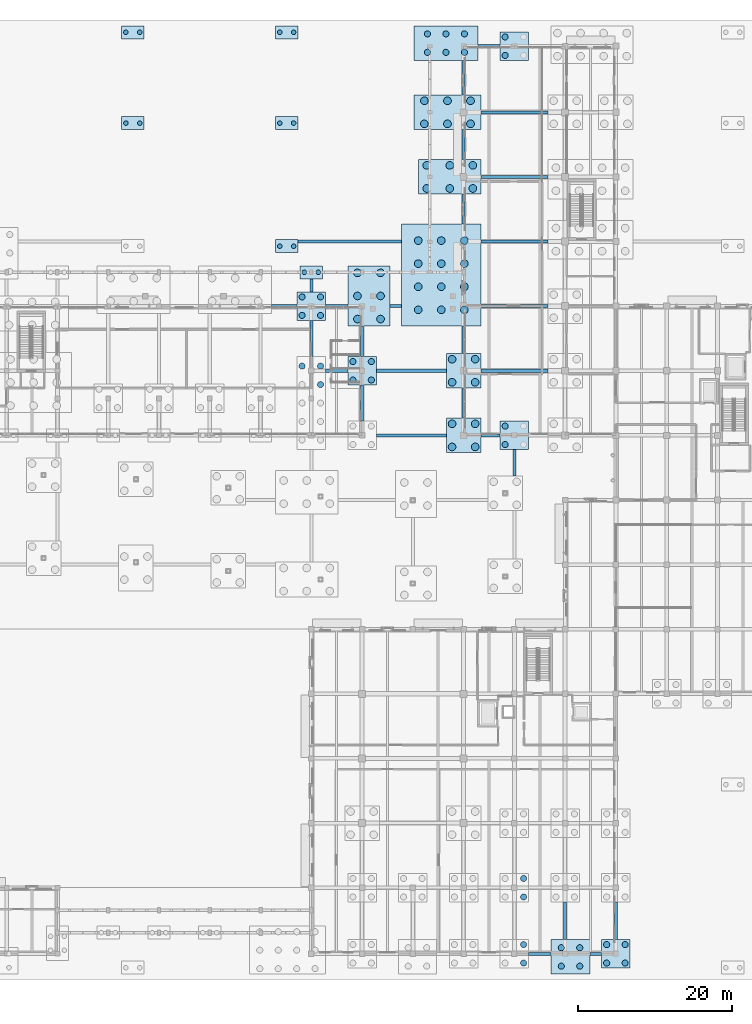
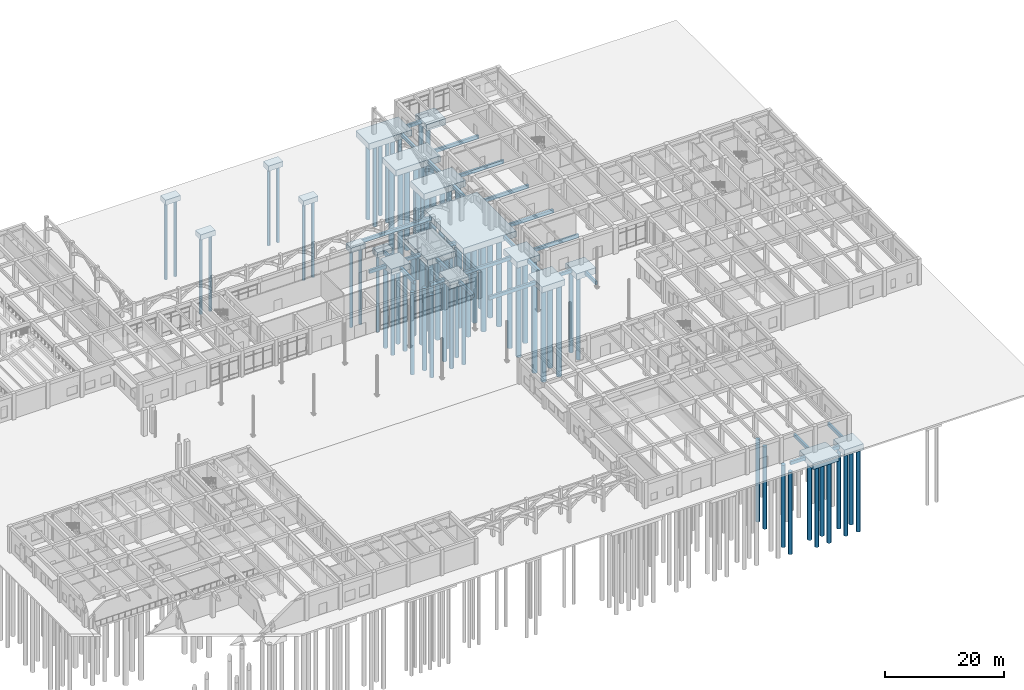
# One storey, part 7 of 82: 83 piles, 47 footings.
"""IFC4 building model written with IfcOpenShell, lengths in metres."""

from ifc_helpers import new_model, si_unit, direction, frame, origin, origin_2d, place, context, subcontext, project, spatial, rectangle, circle, extrude, material, material_profile, profile_set, type_object, element, save


model = new_model("IFC4")

# Units and contexts
model_context = context("Model", 3, precision=1e-05, world=origin(), true_north=direction((0.0, 1.0)))
body_context = subcontext(model_context, "Body", "Model", "MODEL_VIEW")
ifc_project = project(units=[si_unit("LENGTHUNIT", "METRE"), si_unit("AREAUNIT", "SQUARE_METRE"), si_unit("VOLUMEUNIT", "CUBIC_METRE"), si_unit("PLANEANGLEUNIT", "RADIAN"), si_unit("MASSUNIT", "GRAM", prefix="KILO")], contexts=[model_context])

# Site, building, storey
site_placement = place(None, origin())
site = spatial("IfcSite", under=ifc_project, at=site_placement, CompositionType="ELEMENT")
building_placement = place(site_placement, origin())
building = spatial("IfcBuilding", under=site, at=building_placement, Name="Kolvaren Faculty of Natural Sciences", CompositionType="ELEMENT")
storey_placement = place(building_placement, origin())
storey = spatial("IfcBuildingStorey", under=building, at=storey_placement, Name="L00", CompositionType="ELEMENT", Elevation=0.0)

# Piles
ifc_material = material(Name="Concrete C35/45", Category="concrete")
ifc_material_profile_1 = material_profile(ifc_material, circle(Radius=0.5, at=origin_2d()), Name="PILE D1000")
ifc_profile_set_1 = profile_set([ifc_material_profile_1], Name="Concrete C35/45")
pile_type_1 = type_object("IfcPileType", Name="BoredPile_1000", PredefinedType="BORED", material=ifc_profile_set_1)
for number, where, z_axis, x_axis, name in (
    (1, (105.199951171875, 82.52490234375, -1.469970703125), (0.0, 0.0, -1.0), (1.0, 0.0, 0.0), "Rock-socketed bored pile BP-1000 under CAP-196"),
    (2, (105.199951171875, 85.52490234375, -1.469970703125), (0.0, 0.0, -1.0), (1.0, 0.0, 0.0), "Rock-socketed bored pile BP-1000 under CAP-196"),
    (3, (105.199951171875, 88.52490234375, -1.469970703125), (0.0, 0.0, -1.0), (1.0, 0.0, 0.0), "Rock-socketed bored pile BP-1000 under CAP-196"),
    (4, (108.199951171875, 82.52490234375, -1.469970703125), (0.0, 0.0, -1.0), (1.0, 0.0, 0.0), "Rock-socketed bored pile BP-1000 under CAP-196"),
    (5, (108.199951171875, 85.52490234375, -1.469970703125), (0.0, 0.0, -1.0), (1.0, 0.0, 0.0), "Rock-socketed bored pile BP-1000 under CAP-196"),
    (6, (108.199951171875, 88.52490234375, -1.469970703125), (0.0, 0.0, -1.0), (1.0, 0.0, 0.0), "Rock-socketed bored pile BP-1000 under CAP-196"),
    (7, (113.10009765625, 83.72509765625, -1.469970703125), (0.0, 0.0, -1.0), (1.0, 0.0, 0.0), "Rock-socketed bored pile BP-1000 under CAP-201"),
    (8, (113.10009765625, 86.72509765625, -1.469970703125), (0.0, 0.0, -1.0), (1.0, 0.0, 0.0), "Rock-socketed bored pile BP-1000 under CAP-201"),
    (9, (113.10009765625, 89.72509765625, -1.469970703125), (0.0, 0.0, -1.0), (1.0, 0.0, 0.0), "Rock-socketed bored pile BP-1000 under CAP-201"),
    (10, (113.10009765625, 92.72509765625, -1.469970703125), (0.0, 0.0, -1.0), (1.0, 0.0, 0.0), "Rock-socketed bored pile BP-1000 under CAP-201"),
    (11, (116.10009765625, 83.72509765625, -1.469970703125), (0.0, 0.0, -1.0), (1.0, 0.0, 0.0), "Rock-socketed bored pile BP-1000 under CAP-201"),
    (12, (116.10009765625, 86.72509765625, -1.469970703125), (0.0, 0.0, -1.0), (1.0, 0.0, 0.0), "Rock-socketed bored pile BP-1000 under CAP-201"),
    (13, (116.10009765625, 89.72509765625, -1.469970703125), (0.0, 0.0, -1.0), (1.0, 0.0, 0.0), "Rock-socketed bored pile BP-1000 under CAP-201"),
    (14, (116.10009765625, 92.72509765625, -1.469970703125), (0.0, 0.0, -1.0), (1.0, 0.0, 0.0), "Rock-socketed bored pile BP-1000 under CAP-201"),
    (15, (119.10009765625, 83.72509765625, -1.469970703125), (0.0, 0.0, -1.0), (1.0, 0.0, 0.0), "Rock-socketed bored pile BP-1000 under CAP-201"),
    (16, (119.10009765625, 86.72509765625, -1.469970703125), (0.0, 0.0, -1.0), (1.0, 0.0, 0.0), "Rock-socketed bored pile BP-1000 under CAP-201"),
    (17, (119.10009765625, 89.72509765625, -1.469970703125), (0.0, 0.0, -1.0), (1.0, 0.0, 0.0), "Rock-socketed bored pile BP-1000 under CAP-201"),
    (18, (119.10009765625, 92.72509765625, -1.469970703125), (0.0, 0.0, -1.0), (1.0, 0.0, 0.0), "Rock-socketed bored pile BP-1000 under CAP-201"),
    (19, (113.89990234375, 107.89990234375, -1.469970703125), (0.0, 0.0, -1.0), (1.0, 0.0, 0.0), "Rock-socketed bored pile BP-1000 under CAP-202"),
    (20, (113.89990234375, 110.89990234375, -1.469970703125), (0.0, 0.0, -1.0), (1.0, 0.0, 0.0), "Rock-socketed bored pile BP-1000 under CAP-202"),
    (21, (116.89990234375, 107.89990234375, -1.469970703125), (0.0, 0.0, -1.0), (1.0, 0.0, 0.0), "Rock-socketed bored pile BP-1000 under CAP-202"),
    (22, (116.89990234375, 110.89990234375, -1.469970703125), (0.0, 0.0, -1.0), (1.0, 0.0, 0.0), "Rock-socketed bored pile BP-1000 under CAP-202"),
    (23, (119.89990234375, 107.89990234375, -1.469970703125), (0.0, 0.0, -1.0), (1.0, 0.0, 0.0), "Rock-socketed bored pile BP-1000 under CAP-202"),
    (24, (119.89990234375, 110.89990234375, -1.469970703125), (0.0, 0.0, -1.0), (1.0, 0.0, 0.0), "Rock-socketed bored pile BP-1000 under CAP-202"),
    (25, (114.199951171875, 99.5, -1.469970703125), (0.0, 0.0, -1.0), (1.0, 0.0, 0.0), "Rock-socketed bored pile BP-1000 under CAP-204"),
    (26, (114.199951171875, 102.5, -1.469970703125), (0.0, 0.0, -1.0), (1.0, 0.0, 0.0), "Rock-socketed bored pile BP-1000 under CAP-204"),
    (27, (117.199951171875, 99.5, -1.469970703125), (0.0, 0.0, -1.0), (1.0, 0.0, 0.0), "Rock-socketed bored pile BP-1000 under CAP-204"),
    (28, (117.199951171875, 102.5, -1.469970703125), (0.0, 0.0, -1.0), (1.0, 0.0, 0.0), "Rock-socketed bored pile BP-1000 under CAP-204"),
    (29, (120.199951171875, 99.5, -1.469970703125), (0.0, 0.0, -1.0), (1.0, 0.0, 0.0), "Rock-socketed bored pile BP-1000 under CAP-204"),
    (30, (120.199951171875, 102.5, -1.469970703125), (0.0, 0.0, -1.0), (1.0, 0.0, 0.0), "Rock-socketed bored pile BP-1000 under CAP-204"),
    (31, (117.5, 65.89990234375, -1.469970703125), (0.0, 0.0, -1.0), (1.0, 0.0, 0.0), "Rock-socketed bored pile BP-1000 under CAP-206"),
    (32, (117.5, 68.89990234375, -1.469970703125), (0.0, 0.0, -1.0), (1.0, 0.0, 0.0), "Rock-socketed bored pile BP-1000 under CAP-206"),
    (33, (120.5, 65.89990234375, -1.469970703125), (0.0, 0.0, -1.0), (1.0, 0.0, 0.0), "Rock-socketed bored pile BP-1000 under CAP-206"),
    (34, (120.5, 68.89990234375, -1.469970703125), (0.0, 0.0, -1.0), (1.0, 0.0, 0.0), "Rock-socketed bored pile BP-1000 under CAP-206"),
    (35, (117.5, 74.300048828125, -1.469970703125), (0.0, 0.0, -1.0), (1.0, 0.0, 0.0), "Rock-socketed bored pile BP-1000 under CAP-207"),
    (36, (117.5, 77.300048828125, -1.469970703125), (0.0, 0.0, -1.0), (1.0, 0.0, 0.0), "Rock-socketed bored pile BP-1000 under CAP-207"),
    (37, (120.5, 74.300048828125, -1.469970703125), (0.0, 0.0, -1.0), (1.0, 0.0, 0.0), "Rock-socketed bored pile BP-1000 under CAP-207"),
    (38, (120.5, 77.300048828125, -1.469970703125), (0.0, 0.0, -1.0), (1.0, 0.0, 0.0), "Rock-socketed bored pile BP-1000 under CAP-207"),
):
    element("IfcPile", number, at=place(storey_placement, frame(where, z_axis=z_axis, x_axis=x_axis)), inside=storey, type_object=pile_type_1, Name=name, PredefinedType="BORED", context=body_context, shape_type="SweptSolid", body=[
        extrude(circle(Radius=0.5, at=origin_2d()), origin(), (0.0, 0.0, 1.0), 18.830078125),
    ])
ifc_material_profile_2 = material_profile(ifc_material, circle(Radius=0.300048828125, at=origin_2d()), Name="PILE D600")
ifc_profile_set_2 = profile_set([ifc_material_profile_2], Name="Concrete C35/45")
pile_type_2 = type_object("IfcPileType", Name="BoredPile_600", PredefinedType="BORED", material=ifc_profile_set_2)
for number, where, z_axis, x_axis, name in (
    (39, (75.10009765625, 108.0, -1.27001953125), (0.0, 0.0, -1.0), (1.0, 0.0, 0.0), "Rock-socketed bored pile BP-600 under CAP-169"),
    (40, (76.89990234375, 108.0, -1.27001953125), (0.0, 0.0, -1.0), (1.0, 0.0, 0.0), "Rock-socketed bored pile BP-600 under CAP-169"),
    (41, (75.10009765625, 119.800048828125, -1.27001953125), (0.0, 0.0, -1.0), (1.0, 0.0, 0.0), "Rock-socketed bored pile BP-600 under CAP-170"),
    (42, (76.89990234375, 119.800048828125, -1.27001953125), (0.0, 0.0, -1.0), (1.0, 0.0, 0.0), "Rock-socketed bored pile BP-600 under CAP-170"),
    (43, (95.10009765625, 92.0, -1.27001953125), (0.0, 0.0, -1.0), (1.0, 0.0, 0.0), "Rock-socketed bored pile BP-600 under CAP-185"),
    (44, (96.89990234375, 92.0, -1.27001953125), (0.0, 0.0, -1.0), (1.0, 0.0, 0.0), "Rock-socketed bored pile BP-600 under CAP-185"),
    (45, (95.10009765625, 108.0, -1.27001953125), (0.0, 0.0, -1.0), (1.0, 0.0, 0.0), "Rock-socketed bored pile BP-600 under CAP-186"),
    (46, (96.89990234375, 108.0, -1.27001953125), (0.0, 0.0, -1.0), (1.0, 0.0, 0.0), "Rock-socketed bored pile BP-600 under CAP-186"),
    (47, (95.10009765625, 119.800048828125, -1.27001953125), (0.0, 0.0, -1.0), (1.0, 0.0, 0.0), "Rock-socketed bored pile BP-600 under CAP-187"),
    (48, (96.89990234375, 119.800048828125, -1.27001953125), (0.0, 0.0, -1.0), (1.0, 0.0, 0.0), "Rock-socketed bored pile BP-600 under CAP-187"),
    (49, (98.300048828125, 88.60009765625, -1.27001953125), (0.0, 0.0, -1.0), (1.0, 0.0, 0.0), "Rock-socketed bored pile BP-600 under CAP-190"),
    (50, (100.10009765625, 88.60009765625, -1.27001953125), (0.0, 0.0, -1.0), (1.0, 0.0, 0.0), "Rock-socketed bored pile BP-600 under CAP-190"),
):
    element("IfcPile", number, at=place(storey_placement, frame(where, z_axis=z_axis, x_axis=x_axis)), inside=storey, type_object=pile_type_2, Name=name, PredefinedType="BORED", context=body_context, shape_type="SweptSolid", body=[
        extrude(circle(Radius=0.300048828125, at=origin_2d()), origin(), (0.0, 0.0, 1.0), 15.929931640625),
    ])
ifc_material_profile_3 = material_profile(ifc_material, circle(Radius=0.39990234375, at=origin_2d()), Name="PILE D800")
ifc_profile_set_3 = profile_set([ifc_material_profile_3], Name="Concrete C35/45")
pile_type_3 = type_object("IfcPileType", Name="BoredPile_800", PredefinedType="BORED", material=ifc_profile_set_3)
for number, where, z_axis, x_axis, name in (
    (51, (98.0, 76.39990234375, -1.469970703125), (0.0, 0.0, -1.0), (1.0, 0.0, 0.0), "Rock-socketed bored pile BP-800 under CAP-188"),
    (52, (100.39990234375, 74.0, -1.469970703125), (0.0, 0.0, -1.0), (1.0, 0.0, 0.0), "Rock-socketed bored pile BP-800 under CAP-188"),
    (53, (100.39990234375, 76.39990234375, -1.469970703125), (0.0, 0.0, -1.0), (1.0, 0.0, 0.0), "Rock-socketed bored pile BP-800 under CAP-188"),
    (54, (98.0, 83.0, -1.469970703125), (0.0, 0.0, -1.0), (1.0, 0.0, 0.0), "Rock-socketed bored pile BP-800 under CAP-189"),
    (55, (98.0, 85.39990234375, -1.469970703125), (0.0, 0.0, -1.0), (1.0, 0.0, 0.0), "Rock-socketed bored pile BP-800 under CAP-189"),
    (56, (100.39990234375, 83.0, -1.469970703125), (0.0, 0.0, -1.0), (1.0, 0.0, 0.0), "Rock-socketed bored pile BP-800 under CAP-189"),
    (57, (100.39990234375, 85.39990234375, -1.469970703125), (0.0, 0.0, -1.0), (1.0, 0.0, 0.0), "Rock-socketed bored pile BP-800 under CAP-189"),
    (58, (104.60009765625, 74.60009765625, -1.469970703125), (0.0, 0.0, -1.0), (1.0, 0.0, 0.0), "Rock-socketed bored pile BP-800 under CAP-195"),
    (59, (104.60009765625, 77.0, -1.469970703125), (0.0, 0.0, -1.0), (1.0, 0.0, 0.0), "Rock-socketed bored pile BP-800 under CAP-195"),
    (60, (107.0, 74.60009765625, -1.469970703125), (0.0, 0.0, -1.0), (1.0, 0.0, 0.0), "Rock-socketed bored pile BP-800 under CAP-195"),
    (61, (107.0, 77.0, -1.469970703125), (0.0, 0.0, -1.0), (1.0, 0.0, 0.0), "Rock-socketed bored pile BP-800 under CAP-195"),
    (62, (114.300048828125, 117.199951171875, -1.469970703125), (0.0, 0.0, -1.0), (1.0, 0.0, 0.0), "Rock-socketed bored pile BP-800 under CAP-203"),
    (63, (114.300048828125, 119.60009765625, -1.469970703125), (0.0, 0.0, -1.0), (1.0, 0.0, 0.0), "Rock-socketed bored pile BP-800 under CAP-203"),
    (64, (116.699951171875, 117.199951171875, -1.469970703125), (0.0, 0.0, -1.0), (1.0, 0.0, 0.0), "Rock-socketed bored pile BP-800 under CAP-203"),
    (65, (116.699951171875, 119.60009765625, -1.469970703125), (0.0, 0.0, -1.0), (1.0, 0.0, 0.0), "Rock-socketed bored pile BP-800 under CAP-203"),
    (66, (119.10009765625, 117.199951171875, -1.469970703125), (0.0, 0.0, -1.0), (1.0, 0.0, 0.0), "Rock-socketed bored pile BP-800 under CAP-203"),
    (67, (119.10009765625, 119.60009765625, -1.469970703125), (0.0, 0.0, -1.0), (1.0, 0.0, 0.0), "Rock-socketed bored pile BP-800 under CAP-203"),
    (68, (126.800048828125, -1.199951171875, -1.469970703125), (0.0, 0.0, -1.0), (1.0, 0.0, 0.0), "Rock-socketed bored pile BP-800 under CAP-212"),
    (69, (126.800048828125, 1.199951171875, -1.469970703125), (0.0, 0.0, -1.0), (1.0, 0.0, 0.0), "Rock-socketed bored pile BP-800 under CAP-212"),
    (70, (126.800048828125, 7.39990234375, -1.469970703125), (0.0, 0.0, -1.0), (1.0, 0.0, 0.0), "Rock-socketed bored pile BP-800 under CAP-213"),
    (71, (126.800048828125, 9.800048828125, -1.469970703125), (0.0, 0.0, -1.0), (1.0, 0.0, 0.0), "Rock-socketed bored pile BP-800 under CAP-213"),
    (72, (124.39990234375, 66.199951171875, -1.469970703125), (0.0, 0.0, -1.0), (1.0, 0.0, 0.0), "Rock-socketed bored pile BP-800 under CAP-215"),
    (73, (124.39990234375, 68.60009765625, -1.469970703125), (0.0, 0.0, -1.0), (1.0, 0.0, 0.0), "Rock-socketed bored pile BP-800 under CAP-215"),
    (74, (124.39990234375, 116.800048828125, -1.469970703125), (0.0, 0.0, -1.0), (1.0, 0.0, 0.0), "Rock-socketed bored pile BP-800 under CAP-216"),
    (75, (124.39990234375, 119.199951171875, -1.469970703125), (0.0, 0.0, -1.0), (1.0, 0.0, 0.0), "Rock-socketed bored pile BP-800 under CAP-216"),
    (76, (131.699951171875, -1.60009765625, -1.469970703125), (0.0, 0.0, -1.0), (1.0, 0.0, 0.0), "Rock-socketed bored pile BP-800 under CAP-223"),
    (77, (131.699951171875, 0.800048828125, -1.469970703125), (0.0, 0.0, -1.0), (1.0, 0.0, 0.0), "Rock-socketed bored pile BP-800 under CAP-223"),
    (78, (134.10009765625, -1.60009765625, -1.469970703125), (0.0, 0.0, -1.0), (1.0, 0.0, 0.0), "Rock-socketed bored pile BP-800 under CAP-223"),
    (79, (134.10009765625, 0.800048828125, -1.469970703125), (0.0, 0.0, -1.0), (1.0, 0.0, 0.0), "Rock-socketed bored pile BP-800 under CAP-223"),
    (80, (137.60009765625, -1.199951171875, -1.469970703125), (0.0, 0.0, -1.0), (1.0, 0.0, 0.0), "Rock-socketed bored pile BP-800 under CAP-228"),
    (81, (137.60009765625, 1.199951171875, -1.469970703125), (0.0, 0.0, -1.0), (1.0, 0.0, 0.0), "Rock-socketed bored pile BP-800 under CAP-228"),
    (82, (140.0, -1.199951171875, -1.469970703125), (0.0, 0.0, -1.0), (1.0, 0.0, 0.0), "Rock-socketed bored pile BP-800 under CAP-228"),
    (83, (140.0, 1.199951171875, -1.469970703125), (0.0, 0.0, -1.0), (1.0, 0.0, 0.0), "Rock-socketed bored pile BP-800 under CAP-228"),
):
    element("IfcPile", number, at=place(storey_placement, frame(where, z_axis=z_axis, x_axis=x_axis)), inside=storey, type_object=pile_type_3, Name=name, PredefinedType="BORED", context=body_context, shape_type="SweptSolid", body=[
        extrude(circle(Radius=0.39990234375, at=origin_2d()), origin(), (0.0, 0.0, 1.0), 16.929931640625),
    ])

# Footings
ifc_material_profile_4 = material_profile(ifc_material, rectangle(XDim=0.39990234375, YDim=0.699951171875, at=origin_2d()), Name="RC FB 400x700")
ifc_profile_set_4 = profile_set([ifc_material_profile_4], Name="Concrete C35/45")
footing_type_1 = type_object("IfcFootingType", Name="FootingTieBeam_400x700", PredefinedType="FOOTING_BEAM", material=ifc_profile_set_4)
footing_1_placement = place(storey_placement, frame((127.449951171875, 0.0, -0.75), z_axis=(1.0, 0.0, 0.0), x_axis=(0.0, 1.0, 0.0)))
element("IfcFooting", 84, at=footing_1_placement, inside=storey, type_object=footing_type_1, Name="L00 orthogonal foundation tie beam FB-01", PredefinedType="FOOTING_BEAM", context=body_context, shape_type="SweptSolid", body=[
    extrude(rectangle(XDim=0.39990234375, YDim=0.699951171875, at=origin_2d()), origin(), (0.0, 0.0, 1.0), 2.900146484375),
])
footing_2_placement = place(storey_placement, frame((135.449951171875, 0.0, -0.75), z_axis=(1.0, 0.0, 0.0), x_axis=(0.0, 1.0, 0.0)))
element("IfcFooting", 85, at=footing_2_placement, inside=storey, type_object=footing_type_1, Name="L00 orthogonal foundation tie beam FB-01", PredefinedType="FOOTING_BEAM", context=body_context, shape_type="SweptSolid", body=[
    extrude(rectangle(XDim=0.39990234375, YDim=0.699951171875, at=origin_2d()), origin(), (0.0, 0.0, 1.0), 1.5),
])
footing_3_placement = place(storey_placement, frame((107.64990234375, 67.39990234375, -0.75), z_axis=(1.0, 0.0, 0.0), x_axis=(0.0, 1.0, 0.0)))
element("IfcFooting", 86, at=footing_3_placement, inside=storey, type_object=footing_type_1, Name="L00 orthogonal foundation tie beam FB-01", PredefinedType="FOOTING_BEAM", context=body_context, shape_type="SweptSolid", body=[
    extrude(rectangle(XDim=0.39990234375, YDim=0.699951171875, at=origin_2d()), origin(), (0.0, 0.0, 1.0), 9.10009765625),
])
footing_4_placement = place(storey_placement, frame((121.25, 67.39990234375, -0.75), z_axis=(1.0, 0.0, 0.0), x_axis=(0.0, 1.0, 0.0)))
element("IfcFooting", 87, at=footing_4_placement, inside=storey, type_object=footing_type_1, Name="L00 orthogonal foundation tie beam FB-01", PredefinedType="FOOTING_BEAM", context=body_context, shape_type="SweptSolid", body=[
    extrude(rectangle(XDim=0.39990234375, YDim=0.699951171875, at=origin_2d()), origin(), (0.0, 0.0, 1.0), 2.5),
])
footing_5_placement = place(storey_placement, frame((101.050048828125, 75.800048828125, -0.75), z_axis=(1.0, 0.0, 0.0), x_axis=(0.0, 1.0, 0.0)))
element("IfcFooting", 88, at=footing_5_placement, inside=storey, type_object=footing_type_1, Name="L00 orthogonal foundation tie beam FB-01", PredefinedType="FOOTING_BEAM", context=body_context, shape_type="SweptSolid", body=[
    extrude(rectangle(XDim=0.39990234375, YDim=0.699951171875, at=origin_2d()), origin(), (0.0, 0.0, 1.0), 2.89990234375),
])
footing_6_placement = place(storey_placement, frame((107.64990234375, 75.800048828125, -0.75), z_axis=(1.0, 0.0, 0.0), x_axis=(0.0, 1.0, 0.0)))
element("IfcFooting", 89, at=footing_6_placement, inside=storey, type_object=footing_type_1, Name="L00 orthogonal foundation tie beam FB-01", PredefinedType="FOOTING_BEAM", context=body_context, shape_type="SweptSolid", body=[
    extrude(rectangle(XDim=0.39990234375, YDim=0.699951171875, at=origin_2d()), origin(), (0.0, 0.0, 1.0), 9.10009765625),
])
footing_7_placement = place(storey_placement, frame((121.25, 75.800048828125, -0.75), z_axis=(1.0, 0.0, 0.0), x_axis=(0.0, 1.0, 0.0)))
element("IfcFooting", 90, at=footing_7_placement, inside=storey, type_object=footing_type_1, Name="L00 orthogonal foundation tie beam FB-01", PredefinedType="FOOTING_BEAM", context=body_context, shape_type="SweptSolid", body=[
    extrude(rectangle(XDim=0.39990234375, YDim=0.699951171875, at=origin_2d()), origin(), (0.0, 0.0, 1.0), 8.699951171875),
])
footing_8_placement = place(storey_placement, frame((94.050048828125, 84.199951171875, -0.75), z_axis=(1.0, 0.0, 0.0), x_axis=(0.0, 1.0, 0.0)))
element("IfcFooting", 91, at=footing_8_placement, inside=storey, type_object=footing_type_1, Name="L00 orthogonal foundation tie beam FB-01", PredefinedType="FOOTING_BEAM", context=body_context, shape_type="SweptSolid", body=[
    extrude(rectangle(XDim=0.39990234375, YDim=0.699951171875, at=origin_2d()), origin(), (0.0, 0.0, 1.0), 3.300048828125),
])
footing_9_placement = place(storey_placement, frame((101.050048828125, 84.199951171875, -0.75), z_axis=(1.0, 0.0, 0.0), x_axis=(0.0, 1.0, 0.0)))
element("IfcFooting", 92, at=footing_9_placement, inside=storey, type_object=footing_type_1, Name="L00 orthogonal foundation tie beam FB-01", PredefinedType="FOOTING_BEAM", context=body_context, shape_type="SweptSolid", body=[
    extrude(rectangle(XDim=0.39990234375, YDim=0.699951171875, at=origin_2d()), origin(), (0.0, 0.0, 1.0), 2.89990234375),
])
footing_10_placement = place(storey_placement, frame((109.449951171875, 84.199951171875, -0.75), z_axis=(1.0, 0.0, 0.0), x_axis=(0.0, 1.0, 0.0)))
element("IfcFooting", 93, at=footing_10_placement, inside=storey, type_object=footing_type_1, Name="L00 orthogonal foundation tie beam FB-01", PredefinedType="FOOTING_BEAM", context=body_context, shape_type="SweptSolid", body=[
    extrude(rectangle(XDim=0.39990234375, YDim=0.699951171875, at=origin_2d()), origin(), (0.0, 0.0, 1.0), 1.5),
])
footing_11_placement = place(storey_placement, frame((121.25, 84.199951171875, -0.75), z_axis=(1.0, 0.0, 0.0), x_axis=(0.0, 1.0, 0.0)))
element("IfcFooting", 94, at=footing_11_placement, inside=storey, type_object=footing_type_1, Name="L00 orthogonal foundation tie beam FB-01", PredefinedType="FOOTING_BEAM", context=body_context, shape_type="SweptSolid", body=[
    extrude(rectangle(XDim=0.39990234375, YDim=0.699951171875, at=origin_2d()), origin(), (0.0, 0.0, 1.0), 8.699951171875),
])
footing_12_placement = place(storey_placement, frame((97.449951171875, 92.60009765625, -0.75), z_axis=(1.0, 0.0, 0.0), x_axis=(0.0, 1.0, 0.0)))
element("IfcFooting", 95, at=footing_12_placement, inside=storey, type_object=footing_type_1, Name="L00 orthogonal foundation tie beam FB-01", PredefinedType="FOOTING_BEAM", context=body_context, shape_type="SweptSolid", body=[
    extrude(rectangle(XDim=0.39990234375, YDim=0.699951171875, at=origin_2d()), origin(), (0.0, 0.0, 1.0), 13.5),
])
for number, where, z_axis, x_axis, name in (
    (96, (121.25, 92.60009765625, -0.75), (1.0, 0.0, 0.0), (0.0, 1.0, 0.0), "L00 orthogonal foundation tie beam FB-01"),
    (97, (121.25, 101.0, -0.75), (1.0, 0.0, 0.0), (0.0, 1.0, 0.0), "L00 orthogonal foundation tie beam FB-01"),
    (98, (121.25, 109.39990234375, -0.75), (1.0, 0.0, 0.0), (0.0, 1.0, 0.0), "L00 orthogonal foundation tie beam FB-01"),
):
    element("IfcFooting", number, at=place(storey_placement, frame(where, z_axis=z_axis, x_axis=x_axis)), inside=storey, type_object=footing_type_1, Name=name, PredefinedType="FOOTING_BEAM", context=body_context, shape_type="SweptSolid", body=[
        extrude(rectangle(XDim=0.39990234375, YDim=0.699951171875, at=origin_2d()), origin(), (0.0, 0.0, 1.0), 8.699951171875),
    ])
footing_13_placement = place(storey_placement, frame((120.85009765625, 118.0, -0.75), z_axis=(1.0, 0.0, 0.0), x_axis=(0.0, 1.0, 0.0)))
element("IfcFooting", 99, at=footing_13_placement, inside=storey, type_object=footing_type_1, Name="L00 orthogonal foundation tie beam FB-01", PredefinedType="FOOTING_BEAM", context=body_context, shape_type="SweptSolid", body=[
    extrude(rectangle(XDim=0.39990234375, YDim=0.699951171875, at=origin_2d()), origin(), (0.0, 0.0, 1.0), 2.89990234375),
])
footing_14_placement = place(storey_placement, frame((99.199951171875, 77.64990234375, -0.75), z_axis=(0.0, 1.0, 0.0), x_axis=(-1.0, 0.0, 0.0)))
element("IfcFooting", 100, at=footing_14_placement, inside=storey, type_object=footing_type_1, Name="L00 orthogonal foundation tie beam FB-01", PredefinedType="FOOTING_BEAM", context=body_context, shape_type="SweptSolid", body=[
    extrude(rectangle(XDim=0.39990234375, YDim=0.699951171875, at=origin_2d()), origin(), (0.0, 0.0, 1.0), 4.7001953125),
])
footing_15_placement = place(storey_placement, frame((99.199951171875, 86.050048828125, -0.75), z_axis=(0.0, 1.0, 0.0), x_axis=(-1.0, 0.0, 0.0)))
element("IfcFooting", 101, at=footing_15_placement, inside=storey, type_object=footing_type_1, Name="L00 orthogonal foundation tie beam FB-01", PredefinedType="FOOTING_BEAM", context=body_context, shape_type="SweptSolid", body=[
    extrude(rectangle(XDim=0.39990234375, YDim=0.699951171875, at=origin_2d()), origin(), (0.0, 0.0, 1.0), 1.699951171875),
])
footing_16_placement = place(storey_placement, frame((105.800048828125, 69.25, -0.75), z_axis=(0.0, 1.0, 0.0), x_axis=(-1.0, 0.0, 0.0)))
element("IfcFooting", 102, at=footing_16_placement, inside=storey, type_object=footing_type_1, Name="L00 orthogonal foundation tie beam FB-01", PredefinedType="FOOTING_BEAM", context=body_context, shape_type="SweptSolid", body=[
    extrude(rectangle(XDim=0.39990234375, YDim=0.699951171875, at=origin_2d()), origin(), (0.0, 0.0, 1.0), 4.699951171875),
])
footing_17_placement = place(storey_placement, frame((105.800048828125, 77.64990234375, -0.75), z_axis=(0.0, 1.0, 0.0), x_axis=(-1.0, 0.0, 0.0)))
element("IfcFooting", 103, at=footing_17_placement, inside=storey, type_object=footing_type_1, Name="L00 orthogonal foundation tie beam FB-01", PredefinedType="FOOTING_BEAM", context=body_context, shape_type="SweptSolid", body=[
    extrude(rectangle(XDim=0.39990234375, YDim=0.699951171875, at=origin_2d()), origin(), (0.0, 0.0, 1.0), 3.9501953125),
])
footing_18_placement = place(storey_placement, frame((119.0, 69.64990234375, -0.75), z_axis=(0.0, 1.0, 0.0), x_axis=(-1.0, 0.0, 0.0)))
element("IfcFooting", 104, at=footing_18_placement, inside=storey, type_object=footing_type_1, Name="L00 orthogonal foundation tie beam FB-01", PredefinedType="FOOTING_BEAM", context=body_context, shape_type="SweptSolid", body=[
    extrude(rectangle(XDim=0.39990234375, YDim=0.699951171875, at=origin_2d()), origin(), (0.0, 0.0, 1.0), 3.900146484375),
])
footing_19_placement = place(storey_placement, frame((119.0, 78.050048828125, -0.75), z_axis=(0.0, 1.0, 0.0), x_axis=(-1.0, 0.0, 0.0)))
element("IfcFooting", 105, at=footing_19_placement, inside=storey, type_object=footing_type_1, Name="L00 orthogonal foundation tie beam FB-01", PredefinedType="FOOTING_BEAM", context=body_context, shape_type="SweptSolid", body=[
    extrude(rectangle(XDim=0.39990234375, YDim=0.699951171875, at=origin_2d()), origin(), (0.0, 0.0, 1.0), 3.550048828125),
])
for number, where, z_axis, x_axis, name in (
    (106, (119.0, 94.85009765625, -0.75), (0.0, 1.0, 0.0), (-1.0, 0.0, 0.0), "L00 orthogonal foundation tie beam FB-01"),
    (107, (119.0, 103.25, -0.75), (0.0, 1.0, 0.0), (-1.0, 0.0, 0.0), "L00 orthogonal foundation tie beam FB-01"),
):
    element("IfcFooting", number, at=place(storey_placement, frame(where, z_axis=z_axis, x_axis=x_axis)), inside=storey, type_object=footing_type_1, Name=name, PredefinedType="FOOTING_BEAM", context=body_context, shape_type="SweptSolid", body=[
        extrude(rectangle(XDim=0.39990234375, YDim=0.699951171875, at=origin_2d()), origin(), (0.0, 0.0, 1.0), 3.89990234375),
    ])
footing_20_placement = place(storey_placement, frame((119.0, 111.64990234375, -0.75), z_axis=(0.0, 1.0, 0.0), x_axis=(-1.0, 0.0, 0.0)))
element("IfcFooting", 108, at=footing_20_placement, inside=storey, type_object=footing_type_1, Name="L00 orthogonal foundation tie beam FB-01", PredefinedType="FOOTING_BEAM", context=body_context, shape_type="SweptSolid", body=[
    extrude(rectangle(XDim=0.39990234375, YDim=0.699951171875, at=origin_2d()), origin(), (0.0, 0.0, 1.0), 4.5),
])
footing_21_placement = place(storey_placement, frame((125.60009765625, 62.1201171875, -0.75), z_axis=(0.0, 1.0, 0.0), x_axis=(-1.0, 0.0, 0.0)))
element("IfcFooting", 109, at=footing_21_placement, inside=storey, type_object=footing_type_1, Name="L00 orthogonal foundation tie beam FB-01", PredefinedType="FOOTING_BEAM", context=body_context, shape_type="SweptSolid", body=[
    extrude(rectangle(XDim=0.39990234375, YDim=0.699951171875, at=origin_2d()), origin(), (0.0, 0.0, 1.0), 3.429931640625),
])
for number, where, z_axis, x_axis, name in (
    (110, (132.199951171875, 1.85009765625, -0.75), (0.0, 1.0, 0.0), (-1.0, 0.0, 0.0), "L00 orthogonal foundation tie beam FB-01"),
    (111, (138.800048828125, 1.85009765625, -0.75), (0.0, 1.0, 0.0), (-1.0, 0.0, 0.0), "L00 orthogonal foundation tie beam FB-01"),
):
    element("IfcFooting", number, at=place(storey_placement, frame(where, z_axis=z_axis, x_axis=x_axis)), inside=storey, type_object=footing_type_1, Name=name, PredefinedType="FOOTING_BEAM", context=body_context, shape_type="SweptSolid", body=[
        extrude(rectangle(XDim=0.39990234375, YDim=0.699951171875, at=origin_2d()), origin(), (0.0, 0.0, 1.0), 4.89990234375),
    ])
footing_type_2 = type_object("IfcFootingType", Name="PileCap_10300x13250x1250", PredefinedType="PILE_CAP", material=ifc_material)
footing_22_placement = place(storey_placement, frame((116.10009765625, 88.22509765625, -1.570068359375), z_axis=(0.0, 0.0, 1.0), x_axis=(1.0, 0.0, 0.0)))
element("IfcFooting", 112, at=footing_22_placement, inside=storey, type_object=footing_type_2, Name="L00 reinforced concrete pile cap PC-45 (CAP-201)", PredefinedType="PILE_CAP", context=body_context, shape_type="SweptSolid", body=[
    extrude(rectangle(XDim=10.300048828125, YDim=13.25, at=origin_2d()), origin(), (0.0, 0.0, 1.0), 1.25),
])
footing_type_3 = type_object("IfcFootingType", Name="PileCap_2900x1700x1050", PredefinedType="PILE_CAP", material=ifc_material)
for number, where, z_axis, x_axis, name in (
    (113, (76.0, 108.0, -1.3701171875), (0.0, 0.0, 1.0), (1.0, 0.0, 0.0), "L00 reinforced concrete pile cap PC-19 (CAP-169)"),
    (114, (76.0, 119.800048828125, -1.3701171875), (0.0, 0.0, 1.0), (1.0, 0.0, 0.0), "L00 reinforced concrete pile cap PC-19 (CAP-170)"),
    (115, (96.0, 92.0, -1.3701171875), (0.0, 0.0, 1.0), (1.0, 0.0, 0.0), "L00 reinforced concrete pile cap PC-19 (CAP-185)"),
    (116, (96.0, 108.0, -1.3701171875), (0.0, 0.0, 1.0), (1.0, 0.0, 0.0), "L00 reinforced concrete pile cap PC-19 (CAP-186)"),
    (117, (96.0, 119.800048828125, -1.3701171875), (0.0, 0.0, 1.0), (1.0, 0.0, 0.0), "L00 reinforced concrete pile cap PC-19 (CAP-187)"),
    (118, (99.199951171875, 88.60009765625, -1.3701171875), (0.0, 0.0, 1.0), (1.0, 0.0, 0.0), "L00 reinforced concrete pile cap PC-19 (CAP-190)"),
):
    element("IfcFooting", number, at=place(storey_placement, frame(where, z_axis=z_axis, x_axis=x_axis)), inside=storey, type_object=footing_type_3, Name=name, PredefinedType="PILE_CAP", context=body_context, shape_type="SweptSolid", body=[
        extrude(rectangle(XDim=2.89990234375, YDim=1.699951171875, at=origin_2d()), origin(), (0.0, 0.0, 1.0), 1.050048828125),
    ])
footing_type_4 = type_object("IfcFootingType", Name="PileCap_3700x3700x1250", PredefinedType="PILE_CAP", material=ifc_material)
for number, where, z_axis, x_axis, name in (
    (119, (99.199951171875, 84.199951171875, -1.570068359375), (0.0, 0.0, 1.0), (1.0, 0.0, 0.0), "L00 reinforced concrete pile cap PC-16 (CAP-189)"),
    (120, (105.800048828125, 75.800048828125, -1.570068359375), (0.0, 0.0, 1.0), (1.0, 0.0, 0.0), "L00 reinforced concrete pile cap PC-16 (CAP-195)"),
    (121, (125.60009765625, 67.39990234375, -1.570068359375), (0.0, 0.0, 1.0), (1.0, 0.0, 0.0), "L00 reinforced concrete pile cap PC-16 (CAP-215)"),
    (122, (125.60009765625, 118.0, -1.570068359375), (0.0, 0.0, 1.0), (1.0, 0.0, 0.0), "L00 reinforced concrete pile cap PC-16 (CAP-216)"),
    (123, (138.800048828125, 0.0, -1.570068359375), (0.0, 0.0, 1.0), (1.0, 0.0, 0.0), "L00 reinforced concrete pile cap PC-16 (CAP-228)"),
):
    element("IfcFooting", number, at=place(storey_placement, frame(where, z_axis=z_axis, x_axis=x_axis)), inside=storey, type_object=footing_type_4, Name=name, PredefinedType="PILE_CAP", context=body_context, shape_type="SweptSolid", body=[
        extrude(rectangle(XDim=3.699951171875, YDim=3.699951171875, at=origin_2d()), origin(), (0.0, 0.0, 1.0), 1.25),
    ])
footing_type_5 = type_object("IfcFootingType", Name="PileCap_4500x4500x1250", PredefinedType="PILE_CAP", material=ifc_material)
for number, where, z_axis, x_axis, name in (
    (124, (119.0, 67.39990234375, -1.570068359375), (0.0, 0.0, 1.0), (1.0, 0.0, 0.0), "L00 reinforced concrete pile cap PC-23 (CAP-206)"),
    (125, (119.0, 75.800048828125, -1.570068359375), (0.0, 0.0, 1.0), (1.0, 0.0, 0.0), "L00 reinforced concrete pile cap PC-23 (CAP-207)"),
):
    element("IfcFooting", number, at=place(storey_placement, frame(where, z_axis=z_axis, x_axis=x_axis)), inside=storey, type_object=footing_type_5, Name=name, PredefinedType="PILE_CAP", context=body_context, shape_type="SweptSolid", body=[
        extrude(rectangle(XDim=4.5, YDim=4.5, at=origin_2d()), origin(), (0.0, 0.0, 1.0), 1.25),
    ])
footing_type_6 = type_object("IfcFootingType", Name="PileCap_5100x4500x1250", PredefinedType="PILE_CAP", material=ifc_material)
footing_23_placement = place(storey_placement, frame((132.89990234375, -0.39990234375, -1.570068359375), z_axis=(0.0, 0.0, 1.0), x_axis=(1.0, 0.0, 0.0)))
element("IfcFooting", 126, at=footing_23_placement, inside=storey, type_object=footing_type_6, Name="L00 reinforced concrete pile cap PC-27 (CAP-223)", PredefinedType="PILE_CAP", context=body_context, shape_type="SweptSolid", body=[
    extrude(rectangle(XDim=5.10009765625, YDim=4.5, at=origin_2d()), origin(), (0.0, 0.0, 1.0), 1.25),
])
footing_type_7 = type_object("IfcFootingType", Name="PileCap_5500x7850x1250", PredefinedType="PILE_CAP", material=ifc_material)
footing_24_placement = place(storey_placement, frame((106.699951171875, 85.52490234375, -1.570068359375), z_axis=(0.0, 0.0, 1.0), x_axis=(1.0, 0.0, 0.0)))
element("IfcFooting", 127, at=footing_24_placement, inside=storey, type_object=footing_type_7, Name="L00 reinforced concrete pile cap PC-42 (CAP-196)", PredefinedType="PILE_CAP", context=body_context, shape_type="SweptSolid", body=[
    extrude(rectangle(XDim=5.5, YDim=7.85009765625, at=origin_2d()), origin(), (0.0, 0.0, 1.0), 1.25),
])
footing_type_8 = type_object("IfcFootingType", Name="PileCap_8100x4500x1250", PredefinedType="PILE_CAP", material=ifc_material)
footing_25_placement = place(storey_placement, frame((117.199951171875, 101.0, -1.570068359375), z_axis=(0.0, 0.0, 1.0), x_axis=(1.0, 0.0, 0.0)))
element("IfcFooting", 128, at=footing_25_placement, inside=storey, type_object=footing_type_8, Name="L00 reinforced concrete pile cap PC-39 (CAP-204)", PredefinedType="PILE_CAP", context=body_context, shape_type="SweptSolid", body=[
    extrude(rectangle(XDim=8.10009765625, YDim=4.5, at=origin_2d()), origin(), (0.0, 0.0, 1.0), 1.25),
])
footing_type_9 = type_object("IfcFootingType", Name="PileCap_8300x4500x1250", PredefinedType="PILE_CAP", material=ifc_material)
footing_26_placement = place(storey_placement, frame((116.699951171875, 118.39990234375, -1.570068359375), z_axis=(0.0, 0.0, 1.0), x_axis=(1.0, 0.0, 0.0)))
element("IfcFooting", 129, at=footing_26_placement, inside=storey, type_object=footing_type_9, Name="L00 reinforced concrete pile cap PC-47 (CAP-203)", PredefinedType="PILE_CAP", context=body_context, shape_type="SweptSolid", body=[
    extrude(rectangle(XDim=8.300048828125, YDim=4.5, at=origin_2d()), origin(), (0.0, 0.0, 1.0), 1.25),
])
footing_type_10 = type_object("IfcFootingType", Name="PileCap_8700x4500x1250", PredefinedType="PILE_CAP", material=ifc_material)
footing_27_placement = place(storey_placement, frame((116.89990234375, 109.39990234375, -1.570068359375), z_axis=(0.0, 0.0, 1.0), x_axis=(1.0, 0.0, 0.0)))
element("IfcFooting", 130, at=footing_27_placement, inside=storey, type_object=footing_type_10, Name="L00 reinforced concrete pile cap PC-46 (CAP-202)", PredefinedType="PILE_CAP", context=body_context, shape_type="SweptSolid", body=[
    extrude(rectangle(XDim=8.699951171875, YDim=4.5, at=origin_2d()), origin(), (0.0, 0.0, 1.0), 1.25),
])

save(model, "model.ifc")
